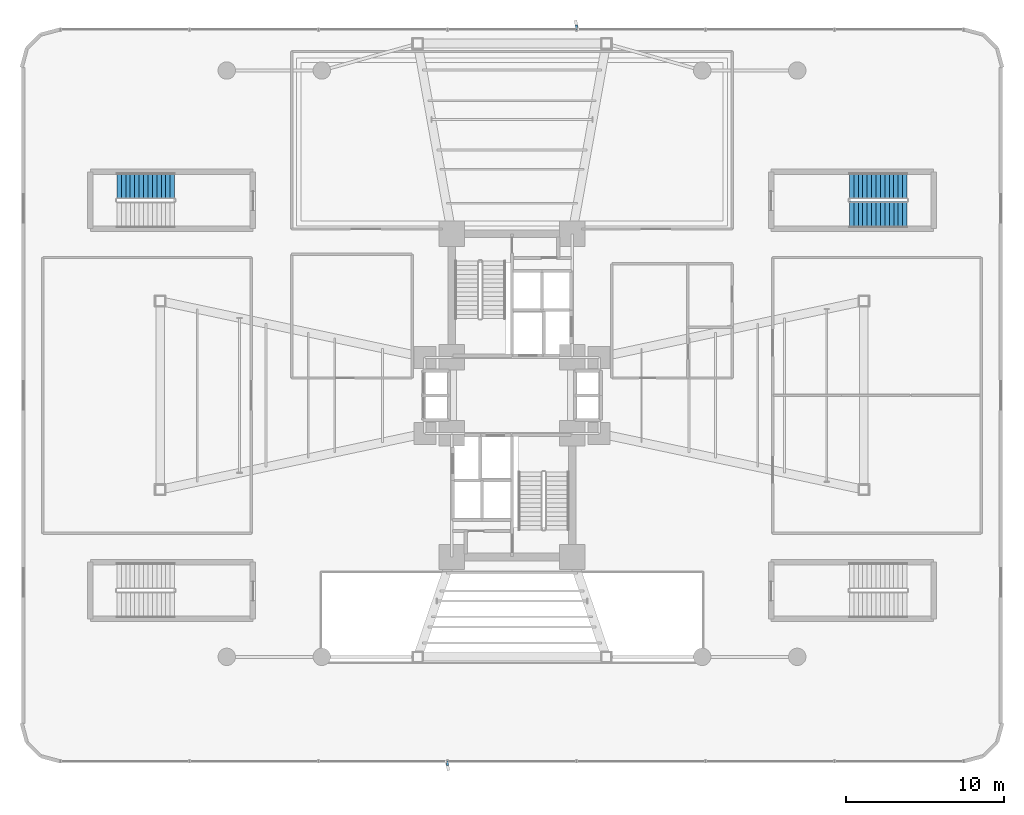
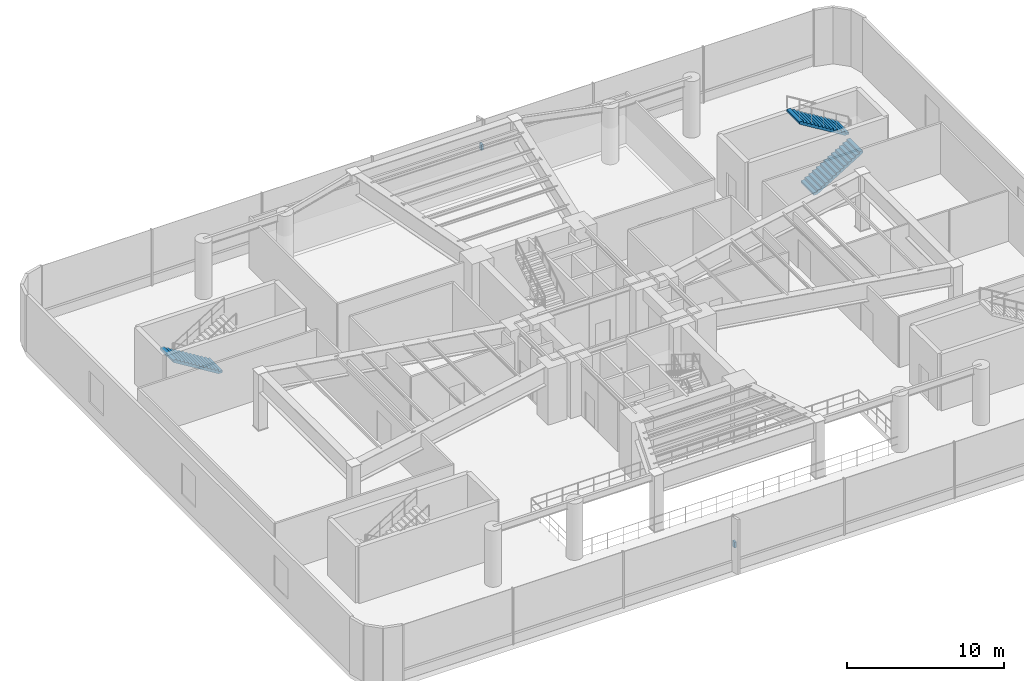
# One storey, part 18 of 22: 3 stair flights, 2 discrete accessories, 2 elements without a shape of their own.
"""IFC4 building model written with IfcOpenShell, lengths in metres."""

from ifc_helpers import new_model, si_unit, direction, frame, origin, origin_2d, place, context, subcontext, project, spatial, polyline, rectangle, outline, extrude, source, transform, mapped, material, type_object, element, aggregate, save


model = new_model("IFC4")

# Units and contexts
model_context = context("Model", 3, precision=1e-05, world=origin(), true_north=direction((0.0, 1.0)))
body_context = subcontext(model_context, "Body", "Model", "MODEL_VIEW")
ifc_project = project(units=[si_unit("LENGTHUNIT", "METRE"), si_unit("AREAUNIT", "SQUARE_METRE"), si_unit("VOLUMEUNIT", "CUBIC_METRE"), si_unit("PLANEANGLEUNIT", "RADIAN"), si_unit("MASSUNIT", "GRAM", prefix="KILO")], contexts=[model_context])

# Site, building, storey
site_placement = place(None, origin())
site = spatial("IfcSite", under=ifc_project, at=site_placement, CompositionType="ELEMENT")
building_placement = place(site_placement, origin())
building = spatial("IfcBuilding", under=site, at=building_placement, Name="Sahyath Konkavel Grand Hotel", CompositionType="ELEMENT")
storey_placement = place(building_placement, frame((0.0, 0.0, 9.300048828125)))
storey = spatial("IfcBuildingStorey", under=building, at=storey_placement, Name="L02", CompositionType="ELEMENT", Elevation=9.300048828125)

# Stair, stair flight
ifc_material_1 = material(Name="Concrete C40/50", Category="concrete")
stair_type = type_object("IfcStairType", Name="STR-ST16-480", PredefinedType="HALF_TURN_STAIR", material=ifc_material_1)
stair_1_placement = place(storey_placement, origin())
stair_1 = element("IfcStair", 1, at=stair_1_placement, inside=storey, type_object=stair_type, Name="L02 Podium Protected Exit Stair ST-P1", PredefinedType="HALF_TURN_STAIR")
stair_flight_type = type_object("IfcStairFlightType", Name="STF-ST16-480", PredefinedType="STRAIGHT", material=ifc_material_1)
stair_flight_1_placement = place(storey_placement, frame((-21.2900390625, 13.215087890625, 0.0), z_axis=(0.0, 0.0, 1.0), x_axis=(-1.0, 0.0, 0.0)))
stair_flight_1 = element("IfcStairFlight", 2, at=stair_flight_1_placement, type_object=stair_flight_type, Name="ST-P1 flight 1", NumberOfRisers=14, NumberOfTreads=13, PredefinedType="STRAIGHT", RiserHeight=0.171428571, TreadLength=0.28, context=body_context, shape_type="SweptSolid", body=[
    extrude(outline(polyline([(0.0, 0.0), (0.0, 0.17138671875), (0.280029296875, 0.17138671875), (0.280029296875, 0.3427734375), (0.56005859375, 0.3427734375), (0.56005859375, 0.514404296875), (0.840087890625, 0.514404296875), (0.840087890625, 0.685791015625), (1.1201171875, 0.685791015625), (1.1201171875, 0.857177734375), (1.39990234375, 0.857177734375), (1.39990234375, 1.028564453125), (1.679931640625, 1.028564453125), (1.679931640625, 1.199951171875), (1.9599609375, 1.199951171875), (1.9599609375, 1.371337890625), (2.239990234375, 1.371337890625), (2.239990234375, 1.54296875), (2.52001953125, 1.54296875), (2.52001953125, 1.71435546875), (2.800048828125, 1.71435546875), (2.800048828125, 1.8857421875), (3.080078125, 1.8857421875), (3.080078125, 2.05712890625), (3.360107421875, 2.05712890625), (3.360107421875, 2.228515625), (3.639892578125, 2.228515625), (3.639892578125, 2.39990234375), (3.639892578125, 2.052734375), (0.287109375, 0.0), (0.0, 0.0)])), frame((0.0, 0.824951171875, 0.0), z_axis=(0.0, -1.0, 0.0), x_axis=(1.0, 0.0, 0.0)), (0.0, 0.0, 1.0), 1.64990234375),
])
aggregate(stair_1, [stair_flight_1])

# Stair, stair flights
stair_2_placement = place(storey_placement, origin())
stair_2 = element("IfcStair", 3, at=stair_2_placement, inside=storey, type_object=stair_type, Name="L02 Podium Protected Exit Stair ST-P2", PredefinedType="HALF_TURN_STAIR")
stair_flight_2_placement = place(storey_placement, frame((21.2900390625, 11.405029296875, 0.0), z_axis=(0.0, 0.0, 1.0), x_axis=(1.0, 0.0, 0.0)))
stair_flight_2 = element("IfcStairFlight", 4, at=stair_flight_2_placement, type_object=stair_flight_type, Name="ST-P2 flight 1", NumberOfRisers=14, NumberOfTreads=13, PredefinedType="STRAIGHT", RiserHeight=0.171428571, TreadLength=0.28, context=body_context, shape_type="SweptSolid", body=[
    extrude(outline(polyline([(0.0, 0.0), (0.0, 0.17138671875), (0.280029296875, 0.17138671875), (0.280029296875, 0.3427734375), (0.56005859375, 0.3427734375), (0.56005859375, 0.514404296875), (0.840087890625, 0.514404296875), (0.840087890625, 0.685791015625), (1.1201171875, 0.685791015625), (1.1201171875, 0.857177734375), (1.39990234375, 0.857177734375), (1.39990234375, 1.028564453125), (1.679931640625, 1.028564453125), (1.679931640625, 1.199951171875), (1.9599609375, 1.199951171875), (1.9599609375, 1.371337890625), (2.239990234375, 1.371337890625), (2.239990234375, 1.54296875), (2.52001953125, 1.54296875), (2.52001953125, 1.71435546875), (2.800048828125, 1.71435546875), (2.800048828125, 1.8857421875), (3.080078125, 1.8857421875), (3.080078125, 2.05712890625), (3.360107421875, 2.05712890625), (3.360107421875, 2.228515625), (3.639892578125, 2.228515625), (3.639892578125, 2.39990234375), (3.639892578125, 2.052734375), (0.287109375, 0.0), (0.0, 0.0)])), frame((0.0, 0.824951171875, 0.0), z_axis=(0.0, -1.0, 0.0), x_axis=(1.0, 0.0, 0.0)), (0.0, 0.0, 1.0), 1.64990234375),
])
stair_flight_3_placement = place(storey_placement, frame((24.929931640625, 13.215087890625, 2.39990234375), z_axis=(0.0, 0.0, 1.0), x_axis=(-1.0, 0.0, 0.0)))
stair_flight_3 = element("IfcStairFlight", 5, at=stair_flight_3_placement, type_object=stair_flight_type, Name="ST-P2 flight 2", NumberOfRisers=14, NumberOfTreads=13, PredefinedType="STRAIGHT", RiserHeight=0.171428571, TreadLength=0.28, context=body_context, shape_type="SweptSolid", body=[
    extrude(outline(polyline([(0.0, 0.0), (0.0, 0.17138671875), (0.280029296875, 0.17138671875), (0.280029296875, 0.3427734375), (0.56005859375, 0.3427734375), (0.56005859375, 0.514404296875), (0.840087890625, 0.514404296875), (0.840087890625, 0.685791015625), (1.1201171875, 0.685791015625), (1.1201171875, 0.857177734375), (1.39990234375, 0.857177734375), (1.39990234375, 1.028564453125), (1.679931640625, 1.028564453125), (1.679931640625, 1.199951171875), (1.9599609375, 1.199951171875), (1.9599609375, 1.371337890625), (2.239990234375, 1.371337890625), (2.239990234375, 1.54296875), (2.52001953125, 1.54296875), (2.52001953125, 1.71435546875), (2.800048828125, 1.71435546875), (2.800048828125, 1.8857421875), (3.080078125, 1.8857421875), (3.080078125, 2.05712890625), (3.360107421875, 2.05712890625), (3.360107421875, 2.228515625), (3.639892578125, 2.228515625), (3.639892578125, 2.39990234375), (3.639892578125, 2.052734375), (0.287109375, 0.0), (0.0, 0.0)])), frame((0.0, 0.824951171875, 0.0), z_axis=(0.0, -1.0, 0.0), x_axis=(1.0, 0.0, 0.0)), (0.0, 0.0, 1.0), 1.64990234375),
])
aggregate(stair_2, [stair_flight_2, stair_flight_3])

# Discrete accessories
ifc_material_2 = material(Name="Steel E350", Category="steel")
discrete_accessory_type = type_object("IfcDiscreteAccessoryType", Name="ACC-FIN-BRACKET", PredefinedType="BRACKET", material=ifc_material_2)
shared_shape = source(origin(), body_context, "Body", "SweptSolid", [
    extrude(rectangle(XDim=0.280029296875, YDim=0.139892578125, at=origin_2d()), origin(), (0.0, 0.0, 1.0), 0.449951171875),
])
for number, where, z_axis, x_axis, name in (
    (6, (4.071533203125, 23.221923828125, 1.97509765625), (0.0, 0.0, 1.0), (0.0, 1.0, 0.0), "L02 Fin Support Bracket N-3"),
    (7, (-4.071533203125, -23.221923828125, 1.97509765625), (0.0, 0.0, 1.0), (0.0, -1.0, 0.0), "L02 Fin Support Bracket S-3"),
):
    element("IfcDiscreteAccessory", number, at=place(storey_placement, frame(where, z_axis=z_axis, x_axis=x_axis)), inside=storey, type_object=discrete_accessory_type, Name=name, PredefinedType="BRACKET", context=body_context, shape_type="MappedRepresentation", body=[
        mapped(shared_shape, transform((0.0, 0.0, 0.0), scale=1.0)),
    ])

save(model, "model.ifc")
